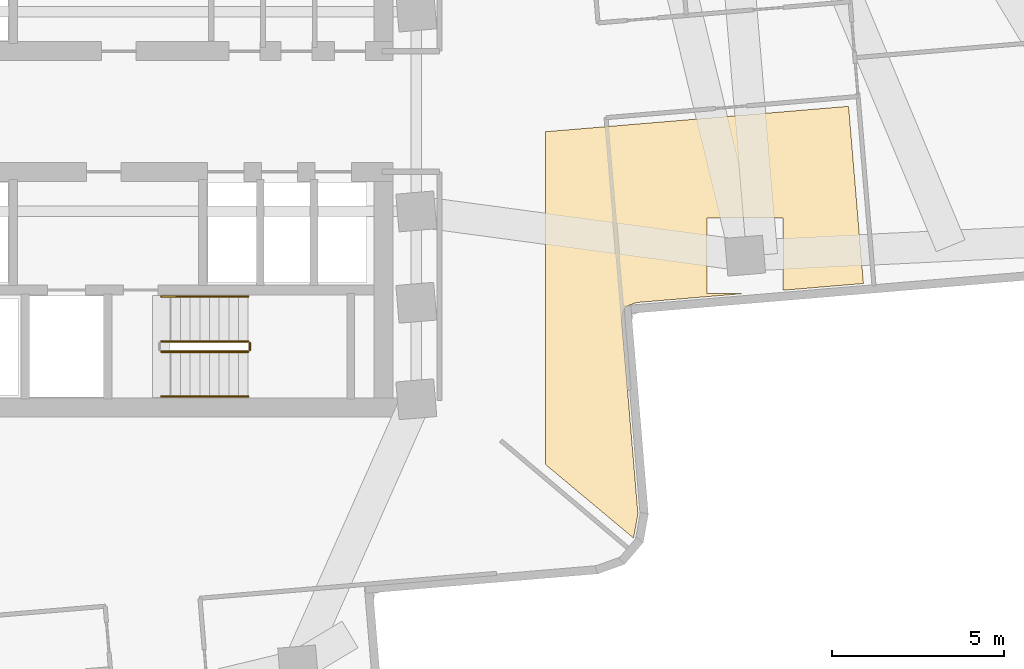
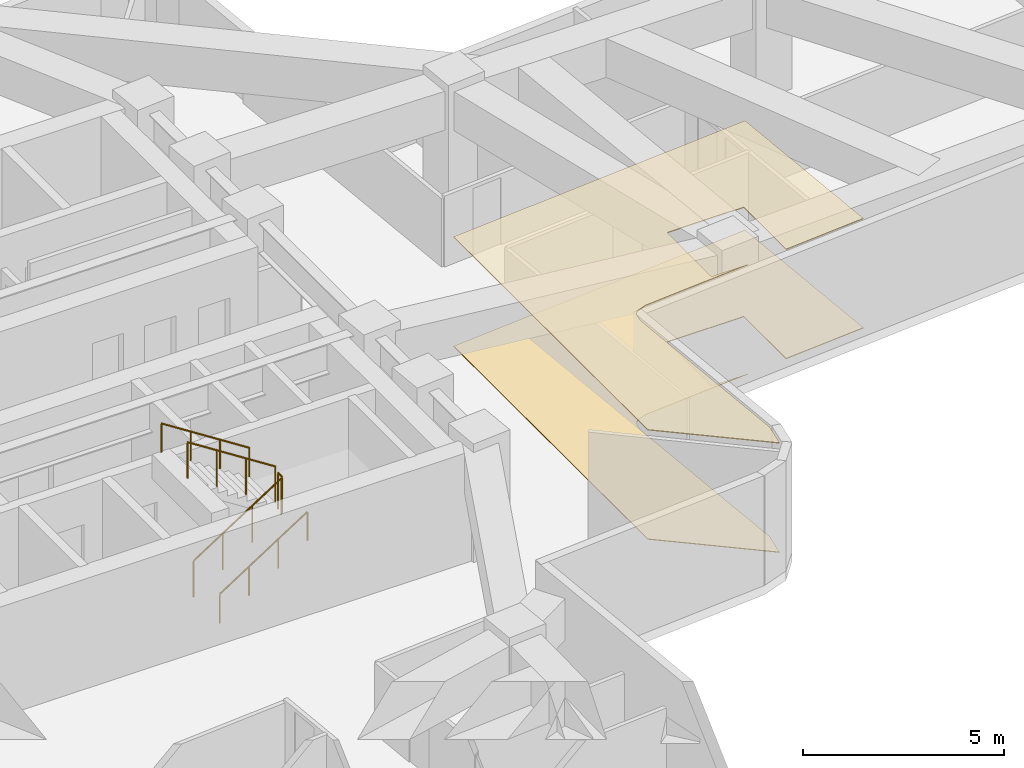
# One storey, part 9 of 11: 5 railings, 2 coverings.
"""IFC4 building model written with IfcOpenShell, lengths in metres."""

from ifc_helpers import new_model, si_unit, direction, frame, origin, origin_2d, place, context, subcontext, project, spatial, polyline, circle, outline, extrude, material, layer, layer_set, type_object, element, save


model = new_model("IFC4")

# Units and contexts
model_context = context("Model", 3, precision=1e-05, world=origin(), true_north=direction((0.0, 1.0)))
body_context = subcontext(model_context, "Body", "Model", "MODEL_VIEW")
ifc_project = project(units=[si_unit("LENGTHUNIT", "METRE"), si_unit("AREAUNIT", "SQUARE_METRE"), si_unit("VOLUMEUNIT", "CUBIC_METRE"), si_unit("PLANEANGLEUNIT", "RADIAN"), si_unit("MASSUNIT", "GRAM", prefix="KILO")], contexts=[model_context])

# Site, building, storey
site_placement = place(None, origin())
site = spatial("IfcSite", under=ifc_project, at=site_placement, CompositionType="ELEMENT")
building_placement = place(site_placement, origin())
building = spatial("IfcBuilding", under=site, at=building_placement, Name="Solmarez Civic Tower", CompositionType="ELEMENT")
storey_placement = place(building_placement, frame((0.0, 0.0, 64.080078125)))
storey = spatial("IfcBuildingStorey", under=building, at=storey_placement, Name="L16", CompositionType="ELEMENT", Elevation=64.080078125)

# Coverings
ifc_material_1 = material(Name="Perforated Mineral-Fibre Acoustic Ceiling")
ifc_layer_1 = layer(ifc_material_1, 0.02490234375)
ifc_layer_set_1 = layer_set([ifc_layer_1], Name="Perforated Mineral-Fibre Acoustic Ceiling")
covering_type_1 = type_object("IfcCoveringType", Name="COV-CEIL-ACOUSTIC", PredefinedType="CEILING", material=ifc_layer_set_1)
covering_1_placement = place(storey_placement, frame((0.0, 0.0, 3.31494140625)))
element("IfcCovering", 1, at=covering_1_placement, inside=storey, type_object=covering_type_1, Name="L16 Suspended Acoustic Ceiling 1", PredefinedType="CEILING", context=body_context, shape_type="SweptSolid", body=[
    extrude(outline(polyline([(12.60009765625, -0.5869140625), (12.60009765625, -10.243896484375), (15.14990234375, -12.375), (15.155029296875, -12.3701171875), (15.280029296875, -11.673095703125), (14.81201171875, -6.092041015625), (14.81103515625, -6.073974609375), (14.81103515625, -6.06005859375), (14.81298828125, -6.029052734375), (14.81396484375, -6.02197265625), (14.81494140625, -6.014892578125), (14.844970703125, -5.845947265625), (14.85009765625, -5.823974609375), (14.85205078125, -5.81689453125), (14.85791015625, -5.800048828125), (14.861083984375, -5.7919921875), (14.864990234375, -5.781982421875), (14.867919921875, -5.77490234375), (14.873046875, -5.763916015625), (14.8759765625, -5.758056640625), (14.888916015625, -5.736083984375), (14.904052734375, -5.715087890625), (14.908935546875, -5.708984375), (14.9140625, -5.702880859375), (14.9189453125, -5.697021484375), (14.93310546875, -5.681884765625), (14.948974609375, -5.6669921875), (14.9599609375, -5.658935546875), (14.97607421875, -5.64697265625), (14.993896484375, -5.635986328125), (15.012939453125, -5.626953125), (15.02001953125, -5.6240234375), (15.027099609375, -5.62109375), (15.0400390625, -5.615966796875), (15.201904296875, -5.55810546875), (15.218994140625, -5.552001953125), (15.238037109375, -5.547119140625), (15.258056640625, -5.54296875), (15.264892578125, -5.5419921875), (15.278076171875, -5.541015625), (18.3359375, -5.283935546875), (17.291015625, -5.283935546875), (17.291015625, -3.083984375), (19.490966796875, -3.083984375), (19.490966796875, -5.18701171875), (21.823974609375, -4.990966796875), (21.39208984375, 0.14990234375), (12.60009765625, -0.5869140625)])), origin(), (0.0, 0.0, 1.0), 0.02490234375),
])
ifc_material_2 = material(Name="Polished Tropical Stone Terrazzo Flooring", Category="masonry")
ifc_layer_2 = layer(ifc_material_2, 0.02001953125)
ifc_layer_set_2 = layer_set([ifc_layer_2], Name="Polished Tropical Stone Terrazzo Flooring")
covering_type_2 = type_object("IfcCoveringType", Name="COV-FLOOR-TERRAZZO", PredefinedType="FLOORING", material=ifc_layer_set_2)
covering_2_placement = place(storey_placement, origin())
element("IfcCovering", 2, at=covering_2_placement, inside=storey, type_object=covering_type_2, Name="L16 Terrazzo Floor Finish 1", PredefinedType="FLOORING", context=body_context, shape_type="SweptSolid", body=[
    extrude(outline(polyline([(12.60009765625, -0.5869140625), (12.60009765625, -10.243896484375), (15.14990234375, -12.375), (15.155029296875, -12.3701171875), (15.280029296875, -11.673095703125), (14.81201171875, -6.092041015625), (14.81103515625, -6.073974609375), (14.81103515625, -6.06005859375), (14.81298828125, -6.029052734375), (14.81396484375, -6.02197265625), (14.81494140625, -6.014892578125), (14.844970703125, -5.845947265625), (14.85009765625, -5.823974609375), (14.85205078125, -5.81689453125), (14.85791015625, -5.800048828125), (14.861083984375, -5.7919921875), (14.864990234375, -5.781982421875), (14.867919921875, -5.77490234375), (14.873046875, -5.763916015625), (14.8759765625, -5.758056640625), (14.888916015625, -5.736083984375), (14.904052734375, -5.715087890625), (14.908935546875, -5.708984375), (14.9140625, -5.702880859375), (14.9189453125, -5.697021484375), (14.93310546875, -5.681884765625), (14.948974609375, -5.6669921875), (14.9599609375, -5.658935546875), (14.97607421875, -5.64697265625), (14.993896484375, -5.635986328125), (15.012939453125, -5.626953125), (15.02001953125, -5.6240234375), (15.027099609375, -5.62109375), (15.0400390625, -5.615966796875), (15.201904296875, -5.55810546875), (15.218994140625, -5.552001953125), (15.238037109375, -5.547119140625), (15.258056640625, -5.54296875), (15.264892578125, -5.5419921875), (15.278076171875, -5.541015625), (18.3359375, -5.283935546875), (17.291015625, -5.283935546875), (17.291015625, -3.083984375), (19.490966796875, -3.083984375), (19.490966796875, -5.18701171875), (21.823974609375, -4.990966796875), (21.39208984375, 0.14990234375), (12.60009765625, -0.5869140625)])), origin(), (0.0, 0.0, 1.0), 0.02001953125),
])

# Railings
ifc_material_3 = material(Name="Painted Steel Stairwell Safety Guard", Category="steel")
railing_type_1 = type_object("IfcRailingType", Name="GUARD-STAIR-1120", PredefinedType="BALUSTRADE", material=ifc_material_3)
railing_1_placement = place(storey_placement, frame((1.449951171875, -6.969970703125, 0.179931640625)))
element("IfcRailing", 3, at=railing_1_placement, inside=storey, type_object=railing_type_1, Name="L16 ST-2 stair guard 1", PredefinedType="BALUSTRADE", context=body_context, shape_type="SweptSolid", body=[
    extrude(circle(Radius=0.02392578125, at=origin_2d()), frame((0.0, 0.0, 1.09619140625), z_axis=(0.841199657755, 0.0, 0.540724639528), x_axis=(0.0, 1.0, 0.0)), (0.0, 0.0, 1.0), 2.995849609375),
    extrude(circle(Radius=0.02099609375, at=origin_2d()), origin(), (0.0, 0.0, 1.0), 1.072021484375),
    extrude(circle(Radius=0.02099609375, at=origin_2d()), frame((0.840087890625, 0.0, 0.5400390625)), (0.0, 0.0, 1.0), 1.072021484375),
    extrude(circle(Radius=0.02099609375, at=origin_2d()), frame((1.679931640625, 0.0, 1.079833984375)), (0.0, 0.0, 1.0), 1.072021484375),
    extrude(circle(Radius=0.02099609375, at=origin_2d()), frame((2.52001953125, 0.0, 1.619873046875)), (0.0, 0.0, 1.0), 1.072021484375),
])
railing_2_placement = place(storey_placement, frame((4.02001953125, -6.919921875, 1.7998046875)))
element("IfcRailing", 4, at=railing_2_placement, inside=storey, type_object=railing_type_1, Name="L16 ST-2 stair guard 2", PredefinedType="BALUSTRADE", context=body_context, shape_type="SweptSolid", body=[
    extrude(circle(Radius=0.02392578125, at=origin_2d()), frame((0.0, 0.0, 1.09619140625), z_axis=(0.0, 1.0, 0.0), x_axis=(-1.0, 0.0, 0.0)), (0.0, 0.0, 1.0), 0.199951171875),
    extrude(circle(Radius=0.02099609375, at=origin_2d()), origin(), (0.0, 0.0, 1.0), 1.072021484375),
    extrude(circle(Radius=0.02099609375, at=origin_2d()), frame((0.0, 0.199951171875, 0.0)), (0.0, 0.0, 1.0), 1.072021484375),
])
railing_3_placement = place(storey_placement, frame((3.969970703125, -6.669921875, 1.97998046875)))
element("IfcRailing", 5, at=railing_3_placement, inside=storey, type_object=railing_type_1, Name="L16 ST-2 stair guard 3", PredefinedType="BALUSTRADE", context=body_context, shape_type="SweptSolid", body=[
    extrude(circle(Radius=0.02392578125, at=origin_2d()), frame((0.0, 0.0, 1.09619140625), z_axis=(-0.841199657755, 0.0, 0.540724639528), x_axis=(0.0, -1.0, 0.0)), (0.0, 0.0, 1.0), 2.995849609375),
    extrude(circle(Radius=0.02099609375, at=origin_2d()), origin(), (0.0, 0.0, 1.0), 1.072021484375),
    extrude(circle(Radius=0.02099609375, at=origin_2d()), frame((-0.840087890625, 0.0, 0.5400390625)), (0.0, 0.0, 1.0), 1.072021484375),
    extrude(circle(Radius=0.02099609375, at=origin_2d()), frame((-1.679931640625, 0.0, 1.079833984375)), (0.0, 0.0, 1.0), 1.072021484375),
    extrude(circle(Radius=0.02099609375, at=origin_2d()), frame((-2.52001953125, 0.0, 1.619873046875)), (0.0, 0.0, 1.0), 1.072021484375),
])
ifc_material_4 = material(Name="Brushed Stainless Steel Tube Handrail", Category="steel")
railing_type_2 = type_object("IfcRailingType", Name="HANDRAIL-STAIR-900", PredefinedType="HANDRAIL", material=ifc_material_4)
railing_4_placement = place(storey_placement, frame((1.449951171875, -8.27001953125, 0.179931640625)))
element("IfcRailing", 6, at=railing_4_placement, inside=storey, type_object=railing_type_2, Name="L16 ST-2 stair handrail 1", PredefinedType="HANDRAIL", context=body_context, shape_type="SweptSolid", body=[
    extrude(circle(Radius=0.02392578125, at=origin_2d()), frame((0.0, 0.0, 0.8759765625), z_axis=(0.841199657755, 0.0, 0.540724639528), x_axis=(0.0, 1.0, 0.0)), (0.0, 0.0, 1.0), 2.995849609375),
    extrude(circle(Radius=0.02099609375, at=origin_2d()), origin(), (0.0, 0.0, 1.0), 0.851806640625),
    extrude(circle(Radius=0.02099609375, at=origin_2d()), frame((0.840087890625, 0.0, 0.5400390625)), (0.0, 0.0, 1.0), 0.851806640625),
    extrude(circle(Radius=0.02099609375, at=origin_2d()), frame((1.679931640625, 0.0, 1.079833984375)), (0.0, 0.0, 1.0), 0.851806640625),
    extrude(circle(Radius=0.02099609375, at=origin_2d()), frame((2.52001953125, 0.0, 1.619873046875)), (0.0, 0.0, 1.0), 0.851806640625),
])
railing_5_placement = place(storey_placement, frame((3.969970703125, -5.3701171875, 1.97998046875)))
element("IfcRailing", 7, at=railing_5_placement, inside=storey, type_object=railing_type_2, Name="L16 ST-2 stair handrail 2", PredefinedType="HANDRAIL", context=body_context, shape_type="SweptSolid", body=[
    extrude(circle(Radius=0.02392578125, at=origin_2d()), frame((0.0, 0.0, 0.8759765625), z_axis=(-0.841199657755, 0.0, 0.540724639528), x_axis=(0.0, -1.0, 0.0)), (0.0, 0.0, 1.0), 2.995849609375),
    extrude(circle(Radius=0.02099609375, at=origin_2d()), origin(), (0.0, 0.0, 1.0), 0.851806640625),
    extrude(circle(Radius=0.02099609375, at=origin_2d()), frame((-0.840087890625, 0.0, 0.5400390625)), (0.0, 0.0, 1.0), 0.851806640625),
    extrude(circle(Radius=0.02099609375, at=origin_2d()), frame((-1.679931640625, 0.0, 1.079833984375)), (0.0, 0.0, 1.0), 0.851806640625),
    extrude(circle(Radius=0.02099609375, at=origin_2d()), frame((-2.52001953125, 0.0, 1.619873046875)), (0.0, 0.0, 1.0), 0.851806640625),
])

save(model, "model.ifc")
